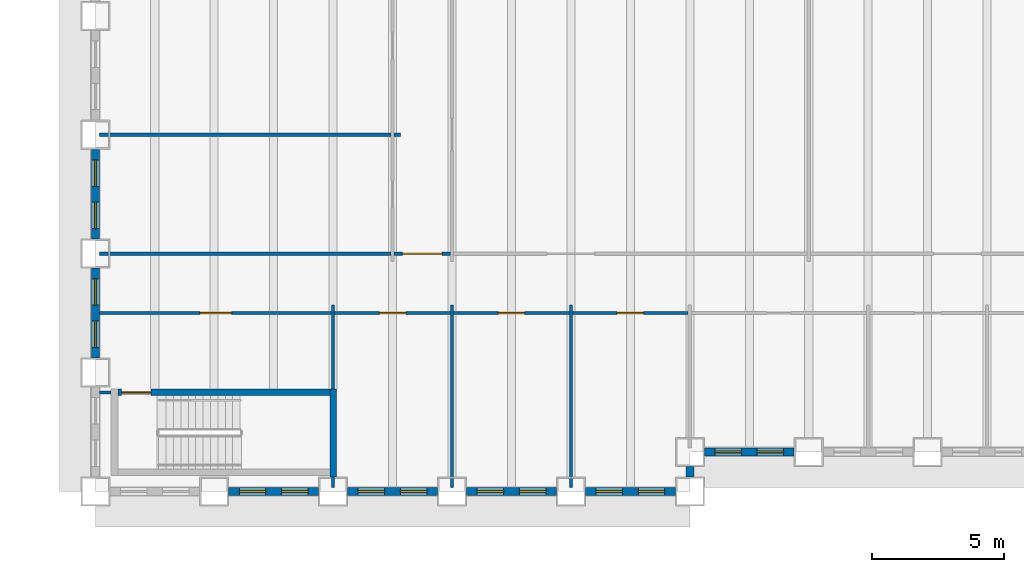
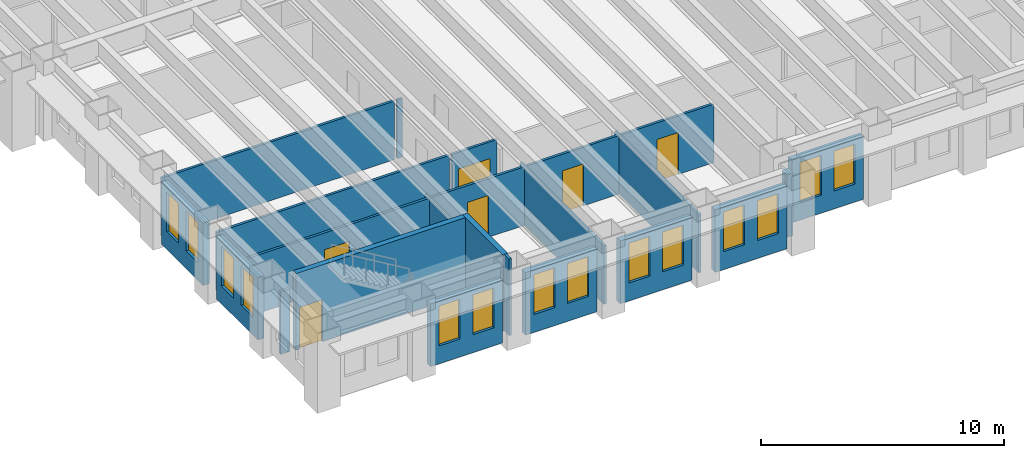
# One storey, part 3 of 17: 23 walls, 14 windows, 6 doors, 20 openings.
"""IFC4 building model written with IfcOpenShell, lengths in metres."""

import ifcopenshell
import ifcopenshell.guid

model = None  # the IFC model being written
_history = None  # IfcOwnerHistory: only IFC2X3 demands one
_inside = {}  # id of a spatial element -> (the spatial element, [elements in it])
_under = {}  # id of a project, library or spatial element -> (it, [spatial elements below it])
_declared = {}  # id of a project -> (the project, [libraries it declares])
_typed = {}  # id of a type object -> (the type object, [elements of that type])
_made_of = {}  # id of a material, layer set ... -> (it, [elements and type objects made of it])


def new_model(schema):
    """Start an empty IFC model of exactly this schema.

    Asked for "IFC4X3", IfcOpenShell would pick the latest addendum, in which some entities
    have other attributes; the version numbers below select the first issue.
    IFC2X3 requires an IfcOwnerHistory on every rooted entity: one is made here for all.
    """
    global model, _history
    if schema == "IFC4X3":
        model = ifcopenshell.file(schema_version=(4, 3, 0, 0))
    else:
        model = ifcopenshell.file(schema=schema)
    _inside.clear()
    _under.clear()
    _declared.clear()
    _typed.clear()
    _made_of.clear()
    _history = None
    if model.schema == "IFC2X3":
        org = make("IfcOrganization", Name="unknown")
        user = make(
            "IfcPersonAndOrganization",
            ThePerson=make("IfcPerson", FamilyName="unknown"),
            TheOrganization=org,
        )
        app = make(
            "IfcApplication",
            ApplicationDeveloper=org,
            Version="unknown",
            ApplicationFullName="unknown",
            ApplicationIdentifier="unknown",
        )
        _history = make(
            "IfcOwnerHistory",
            OwningUser=user,
            OwningApplication=app,
            ChangeAction="ADDED",
            CreationDate=0,
        )
    return model


def make(cls, **values):
    """One entity of the class cls with the attributes given. An attribute that is None is left unset."""
    return model.create_entity(
        cls, **{name: value for name, value in values.items() if value is not None}
    )


def rooted(cls, **values):
    """An entity with a GlobalId (a new one), such as an element, a storey or a relation."""
    return make(cls, GlobalId=ifcopenshell.guid.new(), OwnerHistory=_history, **values)


def si_unit(unit_type, name, prefix=None):
    """IfcSIUnit, for example si_unit("LENGTHUNIT", "METRE", prefix="MILLI")."""
    return make("IfcSIUnit", UnitType=unit_type, Prefix=prefix, Name=name)


def assignment(units):
    """IfcUnitAssignment: the units of a project."""
    return None if units is None else make("IfcUnitAssignment", Units=units)


def point(xyz):
    """IfcCartesianPoint."""
    return None if xyz is None else make("IfcCartesianPoint", Coordinates=xyz)


def direction(xyz):
    """IfcDirection."""
    return None if xyz is None else make("IfcDirection", DirectionRatios=xyz)


def frame(location, z_axis=None, x_axis=None):
    """IfcAxis2Placement3D, a coordinate frame: its origin and axes. An axis left out is left unset."""
    return make(
        "IfcAxis2Placement3D",
        Location=point(location),
        Axis=direction(z_axis),
        RefDirection=direction(x_axis),
    )


def frame_2d(location, x_axis=None):
    """IfcAxis2Placement2D, a coordinate frame in the plane: its origin and x axis."""
    return make(
        "IfcAxis2Placement2D", Location=point(location), RefDirection=direction(x_axis)
    )


def origin():
    """The frame at (0, 0, 0) with its axes left unset."""
    return frame((0.0, 0.0, 0.0))


def place(relative_to, where):
    """IfcLocalPlacement: puts the frame where relative to a parent placement (None: the world)."""
    return make(
        "IfcLocalPlacement", PlacementRelTo=relative_to, RelativePlacement=where
    )


def context(
    kind, dimensions, precision=None, world=None, true_north=None, identifier=None
):
    """IfcGeometricRepresentationContext, for example the 3D "Model" context."""
    return make(
        "IfcGeometricRepresentationContext",
        ContextIdentifier=identifier,
        ContextType=kind,
        CoordinateSpaceDimension=dimensions,
        Precision=precision,
        WorldCoordinateSystem=world,
        TrueNorth=true_north,
    )


def subcontext(parent, identifier, kind, view, scale=None):
    """IfcGeometricRepresentationSubContext, for example "Body" below "Model"."""
    return make(
        "IfcGeometricRepresentationSubContext",
        ContextIdentifier=identifier,
        ContextType=kind,
        ParentContext=parent,
        TargetScale=scale,
        TargetView=view,
    )


def project(units=None, contexts=None):
    """IfcProject with its units and contexts."""
    return rooted(
        "IfcProject",
        Name="project",
        RepresentationContexts=contexts,
        UnitsInContext=assignment(units),
    )


def spatial(cls, under=None, at=None, **own):
    """A site, building, storey or space (cls), placed at a placement, below another one or the project."""
    s = rooted(cls, ObjectPlacement=at, **own)
    if under is not None:
        _under.setdefault(under.id(), (under, []))[1].append(s)
    return s


def profile(cls, at=None, kind="AREA", **sizes):
    """A parametric profile (cls). Its sizes go by their IFC names, for example OverallWidth=200.0."""
    return make(cls, ProfileType=kind, Position=at, **sizes)


def rectangle(**sizes):
    """IfcRectangleProfileDef."""
    return profile("IfcRectangleProfileDef", **sizes)


def extrude(swept, where, along, depth):
    """IfcExtrudedAreaSolid: the profile swept, set in the frame where, extruded along a direction by depth."""
    return make(
        "IfcExtrudedAreaSolid",
        SweptArea=swept,
        Position=where,
        ExtrudedDirection=direction(along),
        Depth=depth,
    )


def shape(context_of_items, identifier, shape_type, items):
    """IfcShapeRepresentation: the items that make up one representation, for example the "Body"."""
    return make(
        "IfcShapeRepresentation",
        ContextOfItems=context_of_items,
        RepresentationIdentifier=identifier,
        RepresentationType=shape_type,
        Items=items,
    )


def material(Name=None, Category=None):
    """IfcMaterial."""
    return make("IfcMaterial", Name=Name, Category=Category)


def layer(
    of_material, thickness, ventilated=None, Name=None, Category=None, Priority=None
):
    """IfcMaterialLayer: one layer of a wall or slab, of a material (None: an air gap)."""
    return make(
        "IfcMaterialLayer",
        Material=of_material,
        LayerThickness=thickness,
        IsVentilated=ventilated,
        Name=Name,
        Category=Category,
        Priority=Priority,
    )


def layer_set(layers, Name=None):
    """IfcMaterialLayerSet."""
    return make("IfcMaterialLayerSet", MaterialLayers=layers, LayerSetName=Name)


def made_of(thing, what):
    """Note that an element or type object is made of a material, layer set ...; save() writes the relation."""
    if what is not None:
        _made_of.setdefault(what.id(), (what, []))[1].append(thing)
    return thing


def type_object(cls, material=None, **own):
    """A type object (cls), such as IfcWallType, which elements share."""
    return made_of(rooted(cls, **own), material)


def element(
    cls,
    number,
    at=None,
    inside=None,
    cuts=None,
    type_object=None,
    material=None,
    context=None,
    identifier="Body",
    shape_type=None,
    held_by="IfcProductDefinitionShape",
    body=None,
    shapes=None,
    **own,
):
    """One element of the class cls, such as IfcWall. Its Tag is "e" and its number.

    at: its placement. inside: the storey or other place that contains it. cuts: it is an
    opening in that element (IfcRelVoidsElement). A single representation is given by context,
    identifier, shape_type and body (its items); several are given by shapes. held_by: the class
    of the entity that holds the representations. save() writes the other relations.
    """
    e = rooted(cls, Tag="e%d" % number, ObjectPlacement=at, **own)
    if body is not None:
        shapes = [shape(context, identifier, shape_type, body)]
    if shapes is not None:
        e.Representation = make(held_by, Representations=shapes)
    if inside is not None:
        _inside.setdefault(inside.id(), (inside, []))[1].append(e)
    if cuts is not None:
        rooted(
            "IfcRelVoidsElement", RelatingBuildingElement=cuts, RelatedOpeningElement=e
        )
    if type_object is not None:
        _typed.setdefault(type_object.id(), (type_object, []))[1].append(e)
    return made_of(e, material)


def fill(opening, filler):
    """IfcRelFillsElement: the door or window that sits in an opening."""
    return rooted(
        "IfcRelFillsElement",
        RelatingOpeningElement=opening,
        RelatedBuildingElement=filler,
    )


def aggregate(whole, parts):
    """IfcRelAggregates: a whole, such as a stair, and the parts it consists of."""
    return rooted("IfcRelAggregates", RelatingObject=whole, RelatedObjects=parts)


def save(model, path):
    """Write the relations noted so far, then the file.

    IfcRelAggregates (storeys below a building ...), IfcRelContainedInSpatialStructure (elements
    in a storey), IfcRelDefinesByType, IfcRelAssociatesMaterial and IfcRelDeclares: one each for
    every whole, place, type object, material and project.
    """
    for whole, parts in _under.values():
        aggregate(whole, parts)
    for where, things in _inside.values():
        rooted(
            "IfcRelContainedInSpatialStructure",
            RelatedElements=things,
            RelatingStructure=where,
        )
    for kind, things in _typed.values():
        rooted("IfcRelDefinesByType", RelatedObjects=things, RelatingType=kind)
    for what, things in _made_of.values():
        rooted("IfcRelAssociatesMaterial", RelatedObjects=things, RelatingMaterial=what)
    for by, libraries in _declared.values():
        rooted("IfcRelDeclares", RelatingContext=by, RelatedDefinitions=libraries)
    model.write(path)


model = new_model("IFC4")

# Units and contexts
model_context = context("Model", 3, precision=1e-05, world=origin(), true_north=direction((0.0, 1.0)))
body_context = subcontext(model_context, "Body", "Model", "MODEL_VIEW")
ifc_project = project(units=[si_unit("LENGTHUNIT", "METRE"), si_unit("AREAUNIT", "SQUARE_METRE"), si_unit("VOLUMEUNIT", "CUBIC_METRE"), si_unit("PLANEANGLEUNIT", "RADIAN"), si_unit("MASSUNIT", "GRAM", prefix="KILO")], contexts=[model_context])

# Site, building, storey
site_placement = place(None, origin())
site = spatial("IfcSite", under=ifc_project, at=site_placement, CompositionType="ELEMENT")
building_placement = place(site_placement, origin())
building = spatial("IfcBuilding", under=site, at=building_placement, Name="Sennacour Bend Tower", CompositionType="ELEMENT")
storey_placement = place(building_placement, frame((0.0, 0.0, 53.0)))
storey = spatial("IfcBuildingStorey", under=building, at=storey_placement, Name="L11", CompositionType="ELEMENT", Elevation=53.0)

# Walls
ifc_material_1 = material(Name="Plasterboard partition on steel studs", Category="steel")
ifc_layer_1 = layer(ifc_material_1, 0.1201171875, Name="Plasterboard partition on steel studs", Category="steel")
ifc_layer_set_1 = layer_set([ifc_layer_1], Name="Plasterboard partition on steel studs")
wall_type_1 = type_object("IfcWallType", Name="Partition 120", PredefinedType="PARTITIONING", material=ifc_layer_set_1)
wall_1_placement = place(storey_placement, frame((9.0, 0.14990234375, 0.0), z_axis=(0.0, 0.0, 1.0), x_axis=(0.0, 1.0, 0.0)))
element("IfcWall", 1, at=wall_1_placement, inside=storey, type_object=wall_type_1, Name="P-L11-W010a", PredefinedType="PARTITIONING", context=body_context, shape_type="SweptSolid", body=[
    extrude(rectangle(XDim=0.400146484375, YDim=0.1201171875, at=frame_2d((0.2001953125, 0.0))), origin(), (0.0, 0.0, 1.0), 3.85009765625),
])
wall_2_placement = place(storey_placement, frame((9.0, 3.875, 0.0), z_axis=(0.0, 0.0, 1.0), x_axis=(0.0, 1.0, 0.0)))
element("IfcWall", 2, at=wall_2_placement, inside=storey, type_object=wall_type_1, Name="P-L11-W012a", PredefinedType="PARTITIONING", context=body_context, shape_type="SweptSolid", body=[
    extrude(rectangle(XDim=3.175048828125, YDim=0.1201171875, at=frame_2d((1.58740234375, 0.0))), origin(), (0.0, 0.0, 1.0), 2.93798828125),
])
for number, where, z_axis, x_axis, name in (
    (3, (13.5, 0.14990234375, 0.0), (0.0, 0.0, 1.0), (0.0, 1.0, 0.0), "P-L11-W016a"),
    (4, (18.0, 0.14990234375, 0.0), (0.0, 0.0, 1.0), (0.0, 1.0, 0.0), "P-L11-W021a"),
):
    element("IfcWall", number, at=place(storey_placement, frame(where, z_axis=z_axis, x_axis=x_axis)), inside=storey, type_object=wall_type_1, Name=name, PredefinedType="PARTITIONING", context=body_context, shape_type="SweptSolid", body=[
        extrude(rectangle(XDim=6.900146484375, YDim=0.1201171875, at=frame_2d((3.4501953125, 0.0))), origin(), (0.0, 0.0, 1.0), 2.93798828125),
    ])
wall_3_placement = place(storey_placement, frame((0.14990234375, 3.75, 0.0), z_axis=(0.0, 0.0, 1.0), x_axis=(1.0, 0.0, 0.0)))
element("IfcWall", 5, at=wall_3_placement, inside=storey, type_object=wall_type_1, Name="P-L11-W055a", PredefinedType="PARTITIONING", context=body_context, shape_type="SweptSolid", body=[
    extrude(rectangle(XDim=0.4501953125, YDim=0.1201171875, at=frame_2d((0.22509765625, 0.0))), origin(), (0.0, 0.0, 1.0), 3.14404296875),
])

# Wall, opening, door
wall_4_placement = place(storey_placement, frame((9.06005859375, 6.75, 0.0), z_axis=(0.0, 0.0, 1.0), x_axis=(1.0, 0.0, 0.0)))
wall_4 = element("IfcWall", 6, at=wall_4_placement, inside=storey, type_object=wall_type_1, Name="P-L11-W061ab", PredefinedType="PARTITIONING", context=body_context, shape_type="SweptSolid", body=[
    extrude(rectangle(XDim=4.3798828125, YDim=0.1201171875, at=frame_2d((2.18994140625, 0.0))), origin(), (0.0, 0.0, 1.0), 2.93798828125),
])
opening_1_placement = place(wall_4_placement, frame((1.68994140625, 0.0, 0.0)))
opening_1 = element("IfcOpeningElement", 7, at=opening_1_placement, cuts=wall_4, Name="Opening OD2", PredefinedType="OPENING", context=body_context, shape_type="SweptSolid", body=[
    extrude(rectangle(XDim=1.0, YDim=2.10009765625, at=frame_2d((0.5, 1.050048828125))), frame((0.0, 0.070068359375, 0.0), z_axis=(0.0, -1.0, 0.0), x_axis=(1.0, 0.0, 0.0)), (0.0, 0.0, 1.0), 0.14013671875),
])
ifc_material_2 = material(Name="Timber", Category="wood")
door_type_1 = type_object("IfcDoorType", Name="DR-OFFICE-1000", OperationType="NOTDEFINED", PredefinedType="DOOR", material=ifc_material_2)
door_1_placement = place(opening_1_placement, origin())
door_1 = element("IfcDoor", 8, at=door_1_placement, inside=storey, type_object=door_type_1, Name="Door", OperationType="SINGLE_SWING_LEFT", OverallHeight=2.10009765625, OverallWidth=1.0, PredefinedType="DOOR", context=body_context, shape_type="SweptSolid", body=[
    extrude(rectangle(XDim=1.0, YDim=2.10009765625, at=frame_2d((0.5, 1.050048828125))), frame((0.0, 0.02490234375, 0.0), z_axis=(0.0, -1.0, 0.0), x_axis=(1.0, 0.0, 0.0)), (0.0, 0.0, 1.0), 0.050048828125),
])
fill(opening_1, door_1)

wall_5_placement = place(storey_placement, frame((13.56005859375, 6.75, 0.0), z_axis=(0.0, 0.0, 1.0), x_axis=(1.0, 0.0, 0.0)))
wall_5 = element("IfcWall", 9, at=wall_5_placement, inside=storey, type_object=wall_type_1, Name="P-L11-W061ac", PredefinedType="PARTITIONING", context=body_context, shape_type="SweptSolid", body=[
    extrude(rectangle(XDim=4.3798828125, YDim=0.1201171875, at=frame_2d((2.18994140625, 0.0))), origin(), (0.0, 0.0, 1.0), 2.93798828125),
])
opening_2_placement = place(wall_5_placement, frame((1.68994140625, 0.0, 0.0)))
opening_2 = element("IfcOpeningElement", 10, at=opening_2_placement, cuts=wall_5, Name="Opening OD2", PredefinedType="OPENING", context=body_context, shape_type="SweptSolid", body=[
    extrude(rectangle(XDim=1.0, YDim=2.10009765625, at=frame_2d((0.5, 1.050048828125))), frame((0.0, 0.070068359375, 0.0), z_axis=(0.0, -1.0, 0.0), x_axis=(1.0, 0.0, 0.0)), (0.0, 0.0, 1.0), 0.14013671875),
])
door_2_placement = place(opening_2_placement, origin())
door_2 = element("IfcDoor", 11, at=door_2_placement, inside=storey, type_object=door_type_1, Name="Door", OperationType="SINGLE_SWING_LEFT", OverallHeight=2.10009765625, OverallWidth=1.0, PredefinedType="DOOR", context=body_context, shape_type="SweptSolid", body=[
    extrude(rectangle(XDim=1.0, YDim=2.10009765625, at=frame_2d((0.5, 1.050048828125))), frame((0.0, 0.02490234375, 0.0), z_axis=(0.0, -1.0, 0.0), x_axis=(1.0, 0.0, 0.0)), (0.0, 0.0, 1.0), 0.050048828125),
])
fill(opening_2, door_2)

wall_6_placement = place(storey_placement, frame((18.06005859375, 6.75, 0.0), z_axis=(0.0, 0.0, 1.0), x_axis=(1.0, 0.0, 0.0)))
wall_6 = element("IfcWall", 12, at=wall_6_placement, inside=storey, type_object=wall_type_1, Name="P-L11-W061ad", PredefinedType="PARTITIONING", context=body_context, shape_type="SweptSolid", body=[
    extrude(rectangle(XDim=4.3798828125, YDim=0.1201171875, at=frame_2d((2.18994140625, 0.0))), origin(), (0.0, 0.0, 1.0), 2.93798828125),
])
opening_3_placement = place(wall_6_placement, frame((1.68994140625, 0.0, 0.0)))
opening_3 = element("IfcOpeningElement", 13, at=opening_3_placement, cuts=wall_6, Name="Opening OD2", PredefinedType="OPENING", context=body_context, shape_type="SweptSolid", body=[
    extrude(rectangle(XDim=1.0, YDim=2.10009765625, at=frame_2d((0.5, 1.050048828125))), frame((0.0, 0.070068359375, 0.0), z_axis=(0.0, -1.0, 0.0), x_axis=(1.0, 0.0, 0.0)), (0.0, 0.0, 1.0), 0.14013671875),
])
door_3_placement = place(opening_3_placement, origin())
door_3 = element("IfcDoor", 14, at=door_3_placement, inside=storey, type_object=door_type_1, Name="Door", OperationType="SINGLE_SWING_LEFT", OverallHeight=2.10009765625, OverallWidth=1.0, PredefinedType="DOOR", context=body_context, shape_type="SweptSolid", body=[
    extrude(rectangle(XDim=1.0, YDim=2.10009765625, at=frame_2d((0.5, 1.050048828125))), frame((0.0, 0.02490234375, 0.0), z_axis=(0.0, -1.0, 0.0), x_axis=(1.0, 0.0, 0.0)), (0.0, 0.0, 1.0), 0.050048828125),
])
fill(opening_3, door_3)

# Walls
for number, where, z_axis, x_axis, name in (
    (15, (0.14990234375, 9.0, 0.0), (0.0, 0.0, 1.0), (1.0, 0.0, 0.0), "P-L11-W062aa"),
    (16, (0.14990234375, 13.5, 0.0), (0.0, 0.0, 1.0), (1.0, 0.0, 0.0), "P-L11-W065aa"),
):
    element("IfcWall", number, at=place(storey_placement, frame(where, z_axis=z_axis, x_axis=x_axis)), inside=storey, type_object=wall_type_1, Name=name, PredefinedType="PARTITIONING", context=body_context, shape_type="SweptSolid", body=[
        extrude(rectangle(XDim=11.0400390625, YDim=0.1201171875, at=frame_2d((5.52001953125, 0.0))), origin(), (0.0, 0.0, 1.0), 2.93798828125),
    ])
wall_7_placement = place(storey_placement, frame((11.31005859375, 13.5, 0.0), z_axis=(0.0, 0.0, 1.0), x_axis=(1.0, 0.0, 0.0)))
element("IfcWall", 17, at=wall_7_placement, inside=storey, type_object=wall_type_1, Name="P-L11-W065ab", PredefinedType="PARTITIONING", context=body_context, shape_type="SweptSolid", body=[
    extrude(rectangle(XDim=0.239990234375, YDim=0.1201171875, at=frame_2d((0.1201171875, 0.0))), origin(), (0.0, 0.0, 1.0), 2.93798828125),
])

# Wall, opening, door
ifc_layer_2 = layer(ifc_material_1, 0.1201171875, Name="Plasterboard partition on steel studs", Category="steel")
ifc_layer_set_2 = layer_set([ifc_layer_2], Name="Plasterboard partition on steel studs")
wall_type_2 = type_object("IfcWallType", Name="Partition 120 EI 30", PredefinedType="PARTITIONING", material=ifc_layer_set_2)
wall_8_placement = place(storey_placement, frame((0.14990234375, 6.75, 0.0), z_axis=(0.0, 0.0, 1.0), x_axis=(1.0, 0.0, 0.0)))
wall_8 = element("IfcWall", 18, at=wall_8_placement, inside=storey, type_object=wall_type_2, Name="P-L11-W061aa", PredefinedType="PARTITIONING", context=body_context, shape_type="SweptSolid", body=[
    extrude(rectangle(XDim=8.7900390625, YDim=0.1201171875, at=frame_2d((4.39501953125, 0.0))), origin(), (0.0, 0.0, 1.0), 2.93798828125),
])
opening_4_placement = place(wall_8_placement, frame((3.80517578125, 0.0, 0.0)))
opening_4 = element("IfcOpeningElement", 19, at=opening_4_placement, cuts=wall_8, Name="Opening KD2", PredefinedType="OPENING", context=body_context, shape_type="SweptSolid", body=[
    extrude(rectangle(XDim=1.199951171875, YDim=2.10009765625, at=frame_2d((0.60009765625, 1.050048828125))), frame((0.0, 0.070068359375, 0.0), z_axis=(0.0, -1.0, 0.0), x_axis=(1.0, 0.0, 0.0)), (0.0, 0.0, 1.0), 0.14013671875),
])
ifc_material_3 = material(Name="Painted steel", Category="steel")
door_type_2 = type_object("IfcDoorType", Name="DR-CORRIDOR-1200", OperationType="NOTDEFINED", PredefinedType="DOOR", material=ifc_material_3)
door_4_placement = place(opening_4_placement, origin())
door_4 = element("IfcDoor", 20, at=door_4_placement, inside=storey, type_object=door_type_2, Name="Door", OperationType="SINGLE_SWING_LEFT", OverallHeight=2.10009765625, OverallWidth=1.199951171875, PredefinedType="DOOR", context=body_context, shape_type="SweptSolid", body=[
    extrude(rectangle(XDim=1.199951171875, YDim=2.10009765625, at=frame_2d((0.60009765625, 1.050048828125))), frame((0.0, 0.02490234375, 0.0), z_axis=(0.0, -1.0, 0.0), x_axis=(1.0, 0.0, 0.0)), (0.0, 0.0, 1.0), 0.050048828125),
])
fill(opening_4, door_4)

wall_9_placement = place(storey_placement, frame((11.31005859375, 9.0, 0.0), z_axis=(0.0, 0.0, 1.0), x_axis=(1.0, 0.0, 0.0)))
wall_9 = element("IfcWall", 21, at=wall_9_placement, inside=storey, type_object=wall_type_2, Name="P-L11-W062ab", PredefinedType="PARTITIONING", context=body_context, shape_type="SweptSolid", body=[
    extrude(rectangle(XDim=2.1298828125, YDim=0.1201171875, at=frame_2d((1.06494140625, 0.0))), origin(), (0.0, 0.0, 1.0), 2.93798828125),
])
opening_5_placement = place(wall_9_placement, frame((0.31494140625, 0.0, 0.0)))
opening_5 = element("IfcOpeningElement", 22, at=opening_5_placement, cuts=wall_9, Name="Opening KD", PredefinedType="OPENING", context=body_context, shape_type="SweptSolid", body=[
    extrude(rectangle(XDim=1.5, YDim=2.10009765625, at=frame_2d((0.75, 1.050048828125))), frame((0.0, 0.070068359375, 0.0), z_axis=(0.0, -1.0, 0.0), x_axis=(1.0, 0.0, 0.0)), (0.0, 0.0, 1.0), 0.14013671875),
])
door_type_3 = type_object("IfcDoorType", Name="DR-CORRIDOR-1500", OperationType="NOTDEFINED", PredefinedType="DOOR", material=ifc_material_3)
door_5_placement = place(opening_5_placement, origin())
door_5 = element("IfcDoor", 23, at=door_5_placement, inside=storey, type_object=door_type_3, Name="Door", OperationType="SINGLE_SWING_LEFT", OverallHeight=2.10009765625, OverallWidth=1.5, PredefinedType="DOOR", context=body_context, shape_type="SweptSolid", body=[
    extrude(rectangle(XDim=1.5, YDim=2.10009765625, at=frame_2d((0.75, 1.050048828125))), frame((0.0, 0.02490234375, 0.0), z_axis=(0.0, -1.0, 0.0), x_axis=(1.0, 0.0, 0.0)), (0.0, 0.0, 1.0), 0.050048828125),
])
fill(opening_5, door_5)

# Wall, openings, windows
ifc_material_4 = material(Name="Warm limestone cladding", Category="masonry")
ifc_layer_3 = layer(ifc_material_4, 0.050048828125, Name="Warm limestone cladding", Category="masonry")
ifc_material_5 = material(Name="Precast concrete C40/50", Category="concrete")
ifc_layer_4 = layer(ifc_material_5, 0.25, Name="Precast concrete C40/50", Category="concrete")
ifc_layer_set_3 = layer_set([ifc_layer_3, ifc_layer_4], Name="Precast concrete C40/50 with limestone cladding")
wall_type_3 = type_object("IfcWallType", Name="STONE-CLAD PRECAST SPANDREL 300", PredefinedType="STANDARD", material=ifc_layer_set_3)
wall_10_placement = place(storey_placement, frame((5.050048828125, 0.0, 0.0), z_axis=(0.0, 0.0, 1.0), x_axis=(1.0, 0.0, 0.0)))
wall_10 = element("IfcWall", 24, at=wall_10_placement, inside=storey, type_object=wall_type_3, Name="Stone spandrel and pier wall L11 00.01", PredefinedType="STANDARD", context=body_context, shape_type="SweptSolid", body=[
    extrude(rectangle(XDim=3.39990234375, YDim=0.300048828125, at=frame_2d((1.699951171875, 0.0))), origin(), (0.0, 0.0, 1.0), 3.14404296875),
])
opening_6_placement = place(wall_10_placement, frame((0.39990234375, 0.0, 0.89990234375)))
opening_6 = element("IfcOpeningElement", 25, at=opening_6_placement, cuts=wall_10, Name="Opening W8", PredefinedType="OPENING", context=body_context, shape_type="SweptSolid", body=[
    extrude(rectangle(XDim=1.0, YDim=2.0, at=frame_2d((0.5, 1.0))), frame((0.0, 0.16015625, 0.0), z_axis=(0.0, -1.0, 0.0), x_axis=(1.0, 0.0, 0.0)), (0.0, 0.0, 1.0), 0.320068359375),
])
opening_7_placement = place(wall_10_placement, frame((2.0, 0.0, 0.89990234375)))
opening_7 = element("IfcOpeningElement", 26, at=opening_7_placement, cuts=wall_10, Name="Opening W8", PredefinedType="OPENING", context=body_context, shape_type="SweptSolid", body=[
    extrude(rectangle(XDim=1.0, YDim=2.0, at=frame_2d((0.5, 1.0))), frame((0.0, 0.16015625, 0.0), z_axis=(0.0, -1.0, 0.0), x_axis=(1.0, 0.0, 0.0)), (0.0, 0.0, 1.0), 0.320068359375),
])
ifc_material_6 = material(Name="Clear low-emissivity glass", Category="glass")
window_type = type_object("IfcWindowType", Name="WIN-RIBBON-1000x2000", PartitioningType="SINGLE_PANEL", PredefinedType="WINDOW", material=ifc_material_6)
window_1_placement = place(opening_6_placement, origin())
window_1 = element("IfcWindow", 27, at=window_1_placement, inside=storey, type_object=window_type, Name="Ribbon window L11 00.01.0", OverallHeight=2.0, OverallWidth=1.0, PartitioningType="SINGLE_PANEL", PredefinedType="WINDOW", context=body_context, shape_type="SweptSolid", body=[
    extrude(rectangle(XDim=1.0, YDim=2.0, at=frame_2d((0.5, 1.0))), frame((0.0, 0.030029296875, 0.0), z_axis=(0.0, -1.0, 0.0), x_axis=(1.0, 0.0, 0.0)), (0.0, 0.0, 1.0), 0.06005859375),
])
fill(opening_6, window_1)
window_2_placement = place(opening_7_placement, origin())
window_2 = element("IfcWindow", 28, at=window_2_placement, inside=storey, type_object=window_type, Name="Ribbon window L11 00.01.1", OverallHeight=2.0, OverallWidth=1.0, PartitioningType="SINGLE_PANEL", PredefinedType="WINDOW", context=body_context, shape_type="SweptSolid", body=[
    extrude(rectangle(XDim=1.0, YDim=2.0, at=frame_2d((0.5, 1.0))), frame((0.0, 0.030029296875, 0.0), z_axis=(0.0, -1.0, 0.0), x_axis=(1.0, 0.0, 0.0)), (0.0, 0.0, 1.0), 0.06005859375),
])
fill(opening_7, window_2)

wall_11_placement = place(storey_placement, frame((9.550048828125, 0.0, 0.0), z_axis=(0.0, 0.0, 1.0), x_axis=(1.0, 0.0, 0.0)))
wall_11 = element("IfcWall", 29, at=wall_11_placement, inside=storey, type_object=wall_type_3, Name="Stone spandrel and pier wall L11 00.02", PredefinedType="STANDARD", context=body_context, shape_type="SweptSolid", body=[
    extrude(rectangle(XDim=3.39990234375, YDim=0.300048828125, at=frame_2d((1.699951171875, 0.0))), origin(), (0.0, 0.0, 1.0), 3.14404296875),
])
opening_8_placement = place(wall_11_placement, frame((0.39990234375, 0.0, 0.89990234375)))
opening_8 = element("IfcOpeningElement", 30, at=opening_8_placement, cuts=wall_11, Name="Opening W8", PredefinedType="OPENING", context=body_context, shape_type="SweptSolid", body=[
    extrude(rectangle(XDim=1.0, YDim=2.0, at=frame_2d((0.5, 1.0))), frame((0.0, 0.16015625, 0.0), z_axis=(0.0, -1.0, 0.0), x_axis=(1.0, 0.0, 0.0)), (0.0, 0.0, 1.0), 0.320068359375),
])
opening_9_placement = place(wall_11_placement, frame((2.0, 0.0, 0.89990234375)))
opening_9 = element("IfcOpeningElement", 31, at=opening_9_placement, cuts=wall_11, Name="Opening W8", PredefinedType="OPENING", context=body_context, shape_type="SweptSolid", body=[
    extrude(rectangle(XDim=1.0, YDim=2.0, at=frame_2d((0.5, 1.0))), frame((0.0, 0.16015625, 0.0), z_axis=(0.0, -1.0, 0.0), x_axis=(1.0, 0.0, 0.0)), (0.0, 0.0, 1.0), 0.320068359375),
])
window_3_placement = place(opening_8_placement, origin())
window_3 = element("IfcWindow", 32, at=window_3_placement, inside=storey, type_object=window_type, Name="Ribbon window L11 00.02.0", OverallHeight=2.0, OverallWidth=1.0, PartitioningType="SINGLE_PANEL", PredefinedType="WINDOW", context=body_context, shape_type="SweptSolid", body=[
    extrude(rectangle(XDim=1.0, YDim=2.0, at=frame_2d((0.5, 1.0))), frame((0.0, 0.030029296875, 0.0), z_axis=(0.0, -1.0, 0.0), x_axis=(1.0, 0.0, 0.0)), (0.0, 0.0, 1.0), 0.06005859375),
])
fill(opening_8, window_3)
window_4_placement = place(opening_9_placement, origin())
window_4 = element("IfcWindow", 33, at=window_4_placement, inside=storey, type_object=window_type, Name="Ribbon window L11 00.02.1", OverallHeight=2.0, OverallWidth=1.0, PartitioningType="SINGLE_PANEL", PredefinedType="WINDOW", context=body_context, shape_type="SweptSolid", body=[
    extrude(rectangle(XDim=1.0, YDim=2.0, at=frame_2d((0.5, 1.0))), frame((0.0, 0.030029296875, 0.0), z_axis=(0.0, -1.0, 0.0), x_axis=(1.0, 0.0, 0.0)), (0.0, 0.0, 1.0), 0.06005859375),
])
fill(opening_9, window_4)

wall_12_placement = place(storey_placement, frame((14.050048828125, 0.0, 0.0), z_axis=(0.0, 0.0, 1.0), x_axis=(1.0, 0.0, 0.0)))
wall_12 = element("IfcWall", 34, at=wall_12_placement, inside=storey, type_object=wall_type_3, Name="Stone spandrel and pier wall L11 00.03", PredefinedType="STANDARD", context=body_context, shape_type="SweptSolid", body=[
    extrude(rectangle(XDim=3.39990234375, YDim=0.300048828125, at=frame_2d((1.699951171875, 0.0))), origin(), (0.0, 0.0, 1.0), 3.14404296875),
])
opening_10_placement = place(wall_12_placement, frame((0.39990234375, 0.0, 0.89990234375)))
opening_10 = element("IfcOpeningElement", 35, at=opening_10_placement, cuts=wall_12, Name="Opening W8", PredefinedType="OPENING", context=body_context, shape_type="SweptSolid", body=[
    extrude(rectangle(XDim=1.0, YDim=2.0, at=frame_2d((0.5, 1.0))), frame((0.0, 0.16015625, 0.0), z_axis=(0.0, -1.0, 0.0), x_axis=(1.0, 0.0, 0.0)), (0.0, 0.0, 1.0), 0.320068359375),
])
opening_11_placement = place(wall_12_placement, frame((2.0, 0.0, 0.89990234375)))
opening_11 = element("IfcOpeningElement", 36, at=opening_11_placement, cuts=wall_12, Name="Opening W8", PredefinedType="OPENING", context=body_context, shape_type="SweptSolid", body=[
    extrude(rectangle(XDim=1.0, YDim=2.0, at=frame_2d((0.5, 1.0))), frame((0.0, 0.16015625, 0.0), z_axis=(0.0, -1.0, 0.0), x_axis=(1.0, 0.0, 0.0)), (0.0, 0.0, 1.0), 0.320068359375),
])
window_5_placement = place(opening_10_placement, origin())
window_5 = element("IfcWindow", 37, at=window_5_placement, inside=storey, type_object=window_type, Name="Ribbon window L11 00.03.0", OverallHeight=2.0, OverallWidth=1.0, PartitioningType="SINGLE_PANEL", PredefinedType="WINDOW", context=body_context, shape_type="SweptSolid", body=[
    extrude(rectangle(XDim=1.0, YDim=2.0, at=frame_2d((0.5, 1.0))), frame((0.0, 0.030029296875, 0.0), z_axis=(0.0, -1.0, 0.0), x_axis=(1.0, 0.0, 0.0)), (0.0, 0.0, 1.0), 0.06005859375),
])
fill(opening_10, window_5)
window_6_placement = place(opening_11_placement, origin())
window_6 = element("IfcWindow", 38, at=window_6_placement, inside=storey, type_object=window_type, Name="Ribbon window L11 00.03.1", OverallHeight=2.0, OverallWidth=1.0, PartitioningType="SINGLE_PANEL", PredefinedType="WINDOW", context=body_context, shape_type="SweptSolid", body=[
    extrude(rectangle(XDim=1.0, YDim=2.0, at=frame_2d((0.5, 1.0))), frame((0.0, 0.030029296875, 0.0), z_axis=(0.0, -1.0, 0.0), x_axis=(1.0, 0.0, 0.0)), (0.0, 0.0, 1.0), 0.06005859375),
])
fill(opening_11, window_6)

wall_13_placement = place(storey_placement, frame((18.550048828125, 0.0, 0.0), z_axis=(0.0, 0.0, 1.0), x_axis=(1.0, 0.0, 0.0)))
wall_13 = element("IfcWall", 39, at=wall_13_placement, inside=storey, type_object=wall_type_3, Name="Stone spandrel and pier wall L11 00.04", PredefinedType="STANDARD", context=body_context, shape_type="SweptSolid", body=[
    extrude(rectangle(XDim=3.39990234375, YDim=0.300048828125, at=frame_2d((1.699951171875, 0.0))), origin(), (0.0, 0.0, 1.0), 3.14404296875),
])
opening_12_placement = place(wall_13_placement, frame((0.39990234375, 0.0, 0.89990234375)))
opening_12 = element("IfcOpeningElement", 40, at=opening_12_placement, cuts=wall_13, Name="Opening W8", PredefinedType="OPENING", context=body_context, shape_type="SweptSolid", body=[
    extrude(rectangle(XDim=1.0, YDim=2.0, at=frame_2d((0.5, 1.0))), frame((0.0, 0.16015625, 0.0), z_axis=(0.0, -1.0, 0.0), x_axis=(1.0, 0.0, 0.0)), (0.0, 0.0, 1.0), 0.320068359375),
])
opening_13_placement = place(wall_13_placement, frame((2.0, 0.0, 0.89990234375)))
opening_13 = element("IfcOpeningElement", 41, at=opening_13_placement, cuts=wall_13, Name="Opening W8", PredefinedType="OPENING", context=body_context, shape_type="SweptSolid", body=[
    extrude(rectangle(XDim=1.0, YDim=2.0, at=frame_2d((0.5, 1.0))), frame((0.0, 0.16015625, 0.0), z_axis=(0.0, -1.0, 0.0), x_axis=(1.0, 0.0, 0.0)), (0.0, 0.0, 1.0), 0.320068359375),
])
window_7_placement = place(opening_12_placement, origin())
window_7 = element("IfcWindow", 42, at=window_7_placement, inside=storey, type_object=window_type, Name="Ribbon window L11 00.04.0", OverallHeight=2.0, OverallWidth=1.0, PartitioningType="SINGLE_PANEL", PredefinedType="WINDOW", context=body_context, shape_type="SweptSolid", body=[
    extrude(rectangle(XDim=1.0, YDim=2.0, at=frame_2d((0.5, 1.0))), frame((0.0, 0.030029296875, 0.0), z_axis=(0.0, -1.0, 0.0), x_axis=(1.0, 0.0, 0.0)), (0.0, 0.0, 1.0), 0.06005859375),
])
fill(opening_12, window_7)
window_8_placement = place(opening_13_placement, origin())
window_8 = element("IfcWindow", 43, at=window_8_placement, inside=storey, type_object=window_type, Name="Ribbon window L11 00.04.1", OverallHeight=2.0, OverallWidth=1.0, PartitioningType="SINGLE_PANEL", PredefinedType="WINDOW", context=body_context, shape_type="SweptSolid", body=[
    extrude(rectangle(XDim=1.0, YDim=2.0, at=frame_2d((0.5, 1.0))), frame((0.0, 0.030029296875, 0.0), z_axis=(0.0, -1.0, 0.0), x_axis=(1.0, 0.0, 0.0)), (0.0, 0.0, 1.0), 0.06005859375),
])
fill(opening_13, window_8)

# Wall
wall_14_placement = place(storey_placement, frame((22.5, 0.550048828125, 0.0), z_axis=(0.0, 0.0, 1.0), x_axis=(0.0, 1.0, 0.0)))
element("IfcWall", 44, at=wall_14_placement, inside=storey, type_object=wall_type_3, Name="Stone spandrel and pier wall L11 01.00", PredefinedType="STANDARD", context=body_context, shape_type="SweptSolid", body=[
    extrude(rectangle(XDim=0.39990234375, YDim=0.300048828125, at=frame_2d((0.199951171875, 0.0))), origin(), (0.0, 0.0, 1.0), 3.14404296875),
])

# Wall, openings, windows
wall_15_placement = place(storey_placement, frame((23.050048828125, 1.5, 0.0), z_axis=(0.0, 0.0, 1.0), x_axis=(1.0, 0.0, 0.0)))
wall_15 = element("IfcWall", 45, at=wall_15_placement, inside=storey, type_object=wall_type_3, Name="Stone spandrel and pier wall L11 02.00", PredefinedType="STANDARD", context=body_context, shape_type="SweptSolid", body=[
    extrude(rectangle(XDim=3.39990234375, YDim=0.300048828125, at=frame_2d((1.699951171875, 0.0))), origin(), (0.0, 0.0, 1.0), 3.14404296875),
])
opening_14_placement = place(wall_15_placement, frame((0.39990234375, 0.0, 0.89990234375)))
opening_14 = element("IfcOpeningElement", 46, at=opening_14_placement, cuts=wall_15, Name="Opening W8", PredefinedType="OPENING", context=body_context, shape_type="SweptSolid", body=[
    extrude(rectangle(XDim=1.0, YDim=2.0, at=frame_2d((0.5, 1.0))), frame((0.0, 0.16015625, 0.0), z_axis=(0.0, -1.0, 0.0), x_axis=(1.0, 0.0, 0.0)), (0.0, 0.0, 1.0), 0.320068359375),
])
opening_15_placement = place(wall_15_placement, frame((2.0, 0.0, 0.89990234375)))
opening_15 = element("IfcOpeningElement", 47, at=opening_15_placement, cuts=wall_15, Name="Opening W8", PredefinedType="OPENING", context=body_context, shape_type="SweptSolid", body=[
    extrude(rectangle(XDim=1.0, YDim=2.0, at=frame_2d((0.5, 1.0))), frame((0.0, 0.16015625, 0.0), z_axis=(0.0, -1.0, 0.0), x_axis=(1.0, 0.0, 0.0)), (0.0, 0.0, 1.0), 0.320068359375),
])
window_9_placement = place(opening_14_placement, origin())
window_9 = element("IfcWindow", 48, at=window_9_placement, inside=storey, type_object=window_type, Name="Ribbon window L11 02.00.0", OverallHeight=2.0, OverallWidth=1.0, PartitioningType="SINGLE_PANEL", PredefinedType="WINDOW", context=body_context, shape_type="SweptSolid", body=[
    extrude(rectangle(XDim=1.0, YDim=2.0, at=frame_2d((0.5, 1.0))), frame((0.0, 0.030029296875, 0.0), z_axis=(0.0, -1.0, 0.0), x_axis=(1.0, 0.0, 0.0)), (0.0, 0.0, 1.0), 0.06005859375),
])
fill(opening_14, window_9)
window_10_placement = place(opening_15_placement, origin())
window_10 = element("IfcWindow", 49, at=window_10_placement, inside=storey, type_object=window_type, Name="Ribbon window L11 02.00.1", OverallHeight=2.0, OverallWidth=1.0, PartitioningType="SINGLE_PANEL", PredefinedType="WINDOW", context=body_context, shape_type="SweptSolid", body=[
    extrude(rectangle(XDim=1.0, YDim=2.0, at=frame_2d((0.5, 1.0))), frame((0.0, 0.030029296875, 0.0), z_axis=(0.0, -1.0, 0.0), x_axis=(1.0, 0.0, 0.0)), (0.0, 0.0, 1.0), 0.06005859375),
])
fill(opening_15, window_10)

wall_16_placement = place(storey_placement, frame((0.0, 12.949951171875, 0.0), z_axis=(0.0, 0.0, 1.0), x_axis=(0.0, -1.0, 0.0)))
wall_16 = element("IfcWall", 50, at=wall_16_placement, inside=storey, type_object=wall_type_3, Name="Stone spandrel and pier wall L11 23.02", PredefinedType="STANDARD", context=body_context, shape_type="SweptSolid", body=[
    extrude(rectangle(XDim=3.39990234375, YDim=0.300048828125, at=frame_2d((1.699951171875, 0.0))), origin(), (0.0, 0.0, 1.0), 3.14404296875),
])
opening_16_placement = place(wall_16_placement, frame((0.39990234375, 0.0, 0.89990234375)))
opening_16 = element("IfcOpeningElement", 51, at=opening_16_placement, cuts=wall_16, Name="Opening W8", PredefinedType="OPENING", context=body_context, shape_type="SweptSolid", body=[
    extrude(rectangle(XDim=1.0, YDim=2.0, at=frame_2d((0.5, 1.0))), frame((0.0, 0.16015625, 0.0), z_axis=(0.0, -1.0, 0.0), x_axis=(1.0, 0.0, 0.0)), (0.0, 0.0, 1.0), 0.320068359375),
])
opening_17_placement = place(wall_16_placement, frame((2.0, 0.0, 0.89990234375)))
opening_17 = element("IfcOpeningElement", 52, at=opening_17_placement, cuts=wall_16, Name="Opening W8", PredefinedType="OPENING", context=body_context, shape_type="SweptSolid", body=[
    extrude(rectangle(XDim=1.0, YDim=2.0, at=frame_2d((0.5, 1.0))), frame((0.0, 0.16015625, 0.0), z_axis=(0.0, -1.0, 0.0), x_axis=(1.0, 0.0, 0.0)), (0.0, 0.0, 1.0), 0.320068359375),
])
window_11_placement = place(opening_16_placement, origin())
window_11 = element("IfcWindow", 53, at=window_11_placement, inside=storey, type_object=window_type, Name="Ribbon window L11 23.02.0", OverallHeight=2.0, OverallWidth=1.0, PartitioningType="SINGLE_PANEL", PredefinedType="WINDOW", context=body_context, shape_type="SweptSolid", body=[
    extrude(rectangle(XDim=1.0, YDim=2.0, at=frame_2d((0.5, 1.0))), frame((0.0, 0.030029296875, 0.0), z_axis=(0.0, -1.0, 0.0), x_axis=(1.0, 0.0, 0.0)), (0.0, 0.0, 1.0), 0.06005859375),
])
fill(opening_16, window_11)
window_12_placement = place(opening_17_placement, origin())
window_12 = element("IfcWindow", 54, at=window_12_placement, inside=storey, type_object=window_type, Name="Ribbon window L11 23.02.1", OverallHeight=2.0, OverallWidth=1.0, PartitioningType="SINGLE_PANEL", PredefinedType="WINDOW", context=body_context, shape_type="SweptSolid", body=[
    extrude(rectangle(XDim=1.0, YDim=2.0, at=frame_2d((0.5, 1.0))), frame((0.0, 0.030029296875, 0.0), z_axis=(0.0, -1.0, 0.0), x_axis=(1.0, 0.0, 0.0)), (0.0, 0.0, 1.0), 0.06005859375),
])
fill(opening_17, window_12)

wall_17_placement = place(storey_placement, frame((0.0, 8.449951171875, 0.0), z_axis=(0.0, 0.0, 1.0), x_axis=(0.0, -1.0, 0.0)))
wall_17 = element("IfcWall", 55, at=wall_17_placement, inside=storey, type_object=wall_type_3, Name="Stone spandrel and pier wall L11 23.03", PredefinedType="STANDARD", context=body_context, shape_type="SweptSolid", body=[
    extrude(rectangle(XDim=3.39990234375, YDim=0.300048828125, at=frame_2d((1.699951171875, 0.0))), origin(), (0.0, 0.0, 1.0), 3.14404296875),
])
opening_18_placement = place(wall_17_placement, frame((0.39990234375, 0.0, 0.89990234375)))
opening_18 = element("IfcOpeningElement", 56, at=opening_18_placement, cuts=wall_17, Name="Opening W8", PredefinedType="OPENING", context=body_context, shape_type="SweptSolid", body=[
    extrude(rectangle(XDim=1.0, YDim=2.0, at=frame_2d((0.5, 1.0))), frame((0.0, 0.16015625, 0.0), z_axis=(0.0, -1.0, 0.0), x_axis=(1.0, 0.0, 0.0)), (0.0, 0.0, 1.0), 0.320068359375),
])
opening_19_placement = place(wall_17_placement, frame((2.0, 0.0, 0.89990234375)))
opening_19 = element("IfcOpeningElement", 57, at=opening_19_placement, cuts=wall_17, Name="Opening W8", PredefinedType="OPENING", context=body_context, shape_type="SweptSolid", body=[
    extrude(rectangle(XDim=1.0, YDim=2.0, at=frame_2d((0.5, 1.0))), frame((0.0, 0.16015625, 0.0), z_axis=(0.0, -1.0, 0.0), x_axis=(1.0, 0.0, 0.0)), (0.0, 0.0, 1.0), 0.320068359375),
])
window_13_placement = place(opening_18_placement, origin())
window_13 = element("IfcWindow", 58, at=window_13_placement, inside=storey, type_object=window_type, Name="Ribbon window L11 23.03.0", OverallHeight=2.0, OverallWidth=1.0, PartitioningType="SINGLE_PANEL", PredefinedType="WINDOW", context=body_context, shape_type="SweptSolid", body=[
    extrude(rectangle(XDim=1.0, YDim=2.0, at=frame_2d((0.5, 1.0))), frame((0.0, 0.030029296875, 0.0), z_axis=(0.0, -1.0, 0.0), x_axis=(1.0, 0.0, 0.0)), (0.0, 0.0, 1.0), 0.06005859375),
])
fill(opening_18, window_13)
window_14_placement = place(opening_19_placement, origin())
window_14 = element("IfcWindow", 59, at=window_14_placement, inside=storey, type_object=window_type, Name="Ribbon window L11 23.03.1", OverallHeight=2.0, OverallWidth=1.0, PartitioningType="SINGLE_PANEL", PredefinedType="WINDOW", context=body_context, shape_type="SweptSolid", body=[
    extrude(rectangle(XDim=1.0, YDim=2.0, at=frame_2d((0.5, 1.0))), frame((0.0, 0.030029296875, 0.0), z_axis=(0.0, -1.0, 0.0), x_axis=(1.0, 0.0, 0.0)), (0.0, 0.0, 1.0), 0.06005859375),
])
fill(opening_19, window_14)

# Wall
ifc_material_7 = material(Name="Concrete C60/75", Category="concrete")
ifc_layer_5 = layer(ifc_material_7, 0.25, Name="Concrete C60/75", Category="concrete")
ifc_layer_set_4 = layer_set([ifc_layer_5], Name="Concrete C60/75")
wall_type_4 = type_object("IfcWallType", Name="Stair wall 250", PredefinedType="SHEAR", material=ifc_layer_set_4)
wall_18_placement = place(storey_placement, frame((9.0, 0.550048828125, 0.0), z_axis=(0.0, 0.0, 1.0), x_axis=(0.0, 1.0, 0.0)))
element("IfcWall", 60, at=wall_18_placement, inside=storey, type_object=wall_type_4, Name="P-L11-W011", PredefinedType="SHEAR", context=body_context, shape_type="SweptSolid", body=[
    extrude(rectangle(XDim=3.324951171875, YDim=0.25, at=frame_2d((1.66259765625, 0.0))), origin(), (0.0, 0.0, 1.0), 3.85009765625),
])

# Wall, opening, door
wall_19_placement = place(storey_placement, frame((0.85009765625, 3.75, 0.0), z_axis=(0.0, 0.0, 1.0), x_axis=(1.0, 0.0, 0.0)))
wall_19 = element("IfcWall", 61, at=wall_19_placement, inside=storey, type_object=wall_type_4, Name="P-L11-W056", PredefinedType="SHEAR", context=body_context, shape_type="SweptSolid", body=[
    extrude(rectangle(XDim=8.02490234375, YDim=0.25, at=frame_2d((4.012451171875, 0.0))), origin(), (0.0, 0.0, 1.0), 3.85009765625),
])
opening_20_placement = place(wall_19_placement, frame((0.14990234375, 0.0, 0.0)))
opening_20 = element("IfcOpeningElement", 62, at=opening_20_placement, cuts=wall_19, Name="Opening SD", PredefinedType="OPENING", context=body_context, shape_type="SweptSolid", body=[
    extrude(rectangle(XDim=1.10009765625, YDim=2.10009765625, at=frame_2d((0.550048828125, 1.050048828125))), frame((0.0, 0.135009765625, 0.0), z_axis=(0.0, -1.0, 0.0), x_axis=(1.0, 0.0, 0.0)), (0.0, 0.0, 1.0), 0.27001953125),
])
door_type_4 = type_object("IfcDoorType", Name="DR-STAIR-1100", OperationType="NOTDEFINED", PredefinedType="DOOR", material=ifc_material_3)
door_6_placement = place(opening_20_placement, origin())
door_6 = element("IfcDoor", 63, at=door_6_placement, inside=storey, type_object=door_type_4, Name="Door", OperationType="SINGLE_SWING_LEFT", OverallHeight=2.10009765625, OverallWidth=1.10009765625, PredefinedType="DOOR", context=body_context, shape_type="SweptSolid", body=[
    extrude(rectangle(XDim=1.10009765625, YDim=2.10009765625, at=frame_2d((0.550048828125, 1.050048828125))), frame((0.0, 0.02490234375, 0.0), z_axis=(0.0, -1.0, 0.0), x_axis=(1.0, 0.0, 0.0)), (0.0, 0.0, 1.0), 0.050048828125),
])
fill(opening_20, door_6)

save(model, "model.ifc")
